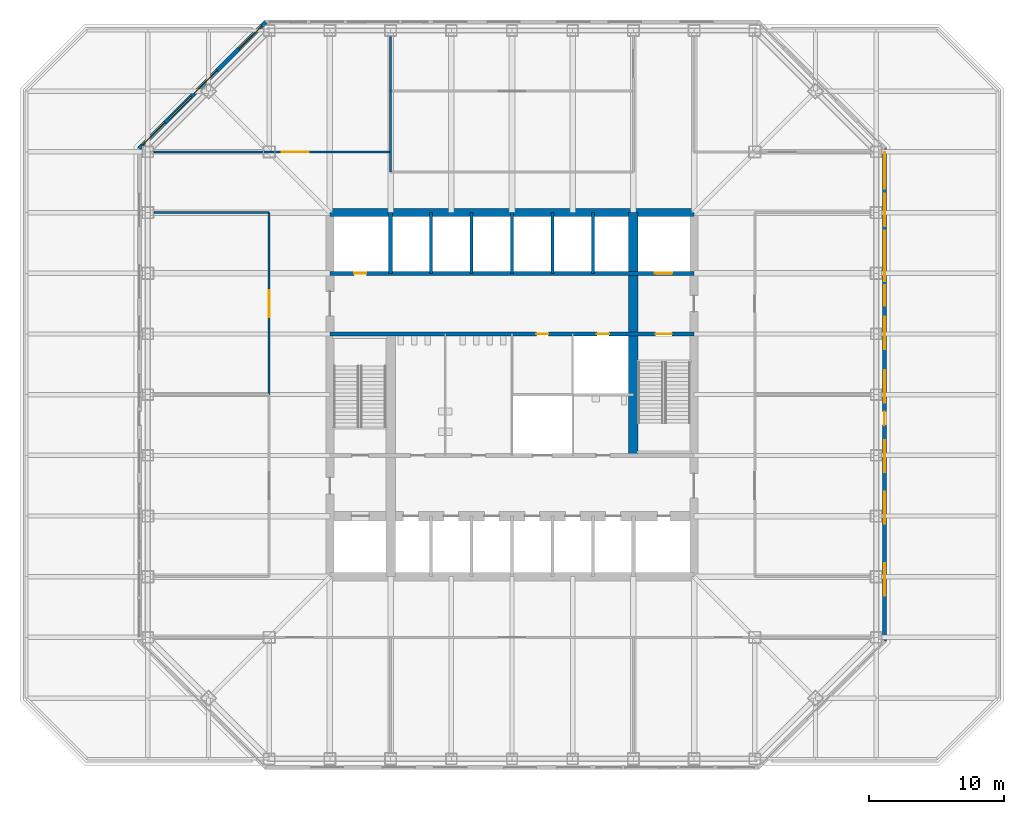
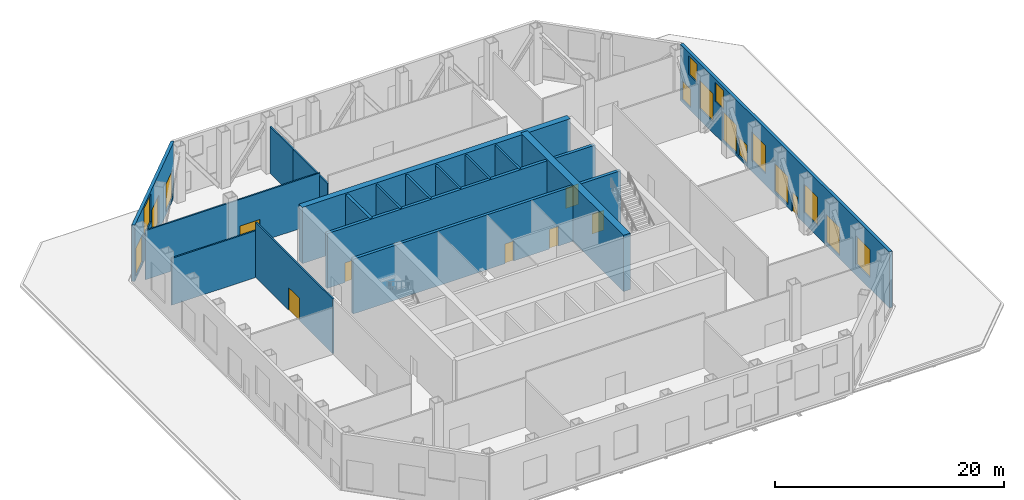
# One storey, part 6 of 10: 17 walls, 15 windows, 8 doors, 23 openings.
"""IFC4 building model written with IfcOpenShell, lengths in metres."""

from ifc_helpers import new_model, si_unit, direction, frame, frame_2d, origin, place, context, subcontext, project, spatial, rectangle, extrude, material, layer, layer_set, type_object, element, fill, save


model = new_model("IFC4")

# Units and contexts
model_context = context("Model", 3, precision=1e-05, world=origin(), true_north=direction((0.0, 1.0)))
body_context = subcontext(model_context, "Body", "Model", "MODEL_VIEW")
ifc_project = project(units=[si_unit("LENGTHUNIT", "METRE"), si_unit("AREAUNIT", "SQUARE_METRE"), si_unit("VOLUMEUNIT", "CUBIC_METRE"), si_unit("PLANEANGLEUNIT", "RADIAN"), si_unit("MASSUNIT", "GRAM", prefix="KILO")], contexts=[model_context])

# Site, building, storey
site_placement = place(None, origin())
site = spatial("IfcSite", under=ifc_project, at=site_placement, CompositionType="ELEMENT")
building_placement = place(site_placement, origin())
building = spatial("IfcBuilding", under=site, at=building_placement, Name="Corais Broadcast Tower", CompositionType="ELEMENT")
storey_placement = place(building_placement, frame((0.0, 0.0, 23.0)))
storey = spatial("IfcBuildingStorey", under=building, at=storey_placement, Name="L04", CompositionType="ELEMENT", Elevation=23.0)

# Wall
ifc_material_1 = material(Name="Concrete blockwork class A, grouted, two-hour", Category="masonry")
ifc_layer_1 = layer(ifc_material_1, 0.300048828125)
ifc_layer_set_1 = layer_set([ifc_layer_1], Name="Concrete blockwork class A, grouted, two-hour")
wall_type_1 = type_object("IfcWallType", Name="Core lobby wall 300", PredefinedType="SOLIDWALL", material=ifc_layer_set_1)
wall_1_placement = place(storey_placement, frame((18.0, 36.0, 0.0), z_axis=(0.0, 0.0, 1.0), x_axis=(0.0, 1.0, 0.0)))
element("IfcWall", 1, at=wall_1_placement, inside=storey, type_object=wall_type_1, Name="CL1 core shaft wall X18B L04", PredefinedType="SOLIDWALL", context=body_context, shape_type="SweptSolid", body=[
    extrude(rectangle(XDim=4.5, YDim=0.300048828125, at=frame_2d((2.25, 0.0))), origin(), (0.0, 0.0, 1.0), 5.840087890625),
])

# Wall, openings, doors
wall_2_placement = place(storey_placement, frame((13.5, 31.5, 0.0), z_axis=(0.0, 0.0, 1.0), x_axis=(1.0, 0.0, 0.0)))
wall_2 = element("IfcWall", 2, at=wall_2_placement, inside=storey, type_object=wall_type_1, Name="CL1 core lobby wall Y315 L04", PredefinedType="SOLIDWALL", context=body_context, shape_type="SweptSolid", body=[
    extrude(rectangle(XDim=27.0, YDim=0.300048828125, at=frame_2d((13.5, 0.0))), origin(), (0.0, 0.0, 1.0), 5.840087890625),
])
opening_1_placement = place(wall_2_placement, frame((24.14990234375, 0.0, 0.0)))
opening_1 = element("IfcOpeningElement", 3, at=opening_1_placement, cuts=wall_2, Name="Opening FD1", PredefinedType="OPENING", context=body_context, shape_type="SweptSolid", body=[
    extrude(rectangle(XDim=1.199951171875, YDim=2.10009765625, at=frame_2d((0.60009765625, 1.050048828125))), frame((0.0, 0.159912109375, 0.0), z_axis=(0.0, -1.0, 0.0), x_axis=(1.0, 0.0, 0.0)), (0.0, 0.0, 1.0), 0.320068359375),
])
opening_2_placement = place(wall_2_placement, frame((15.300048828125, 0.0, 0.0)))
opening_2 = element("IfcOpeningElement", 4, at=opening_2_placement, cuts=wall_2, Name="Opening RD1", PredefinedType="OPENING", context=body_context, shape_type="SweptSolid", body=[
    extrude(rectangle(XDim=0.89990234375, YDim=2.10009765625, at=frame_2d((0.449951171875, 1.050048828125))), frame((0.0, 0.159912109375, 0.0), z_axis=(0.0, -1.0, 0.0), x_axis=(1.0, 0.0, 0.0)), (0.0, 0.0, 1.0), 0.320068359375),
])
opening_3_placement = place(wall_2_placement, frame((19.800048828125, 0.0, 0.0)))
opening_3 = element("IfcOpeningElement", 5, at=opening_3_placement, cuts=wall_2, Name="Opening RD1", PredefinedType="OPENING", context=body_context, shape_type="SweptSolid", body=[
    extrude(rectangle(XDim=0.89990234375, YDim=2.10009765625, at=frame_2d((0.449951171875, 1.050048828125))), frame((0.0, 0.159912109375, 0.0), z_axis=(0.0, -1.0, 0.0), x_axis=(1.0, 0.0, 0.0)), (0.0, 0.0, 1.0), 0.320068359375),
])
ifc_material_2 = material(Name="Steel fire door", Category="steel")
door_type_1 = type_object("IfcDoorType", Name="Fire door 1200x2100", OperationType="SINGLE_SWING_LEFT", PredefinedType="DOOR", material=ifc_material_2)
door_1_placement = place(opening_1_placement, origin())
door_1 = element("IfcDoor", 6, at=door_1_placement, inside=storey, type_object=door_type_1, Name="FD1 stair B door L04", OperationType="SINGLE_SWING_RIGHT", OverallHeight=2.10009765625, OverallWidth=1.199951171875, PredefinedType="DOOR", context=body_context, shape_type="SweptSolid", body=[
    extrude(rectangle(XDim=1.199951171875, YDim=2.10009765625, at=frame_2d((0.60009765625, 1.050048828125))), frame((0.0, 0.02490234375, 0.0), z_axis=(0.0, -1.0, 0.0), x_axis=(1.0, 0.0, 0.0)), (0.0, 0.0, 1.0), 0.050048828125),
])
fill(opening_1, door_1)
ifc_material_3 = material(Name="Steel fire door", Category="steel")
door_type_2 = type_object("IfcDoorType", Name="Riser door 900x2100", OperationType="SINGLE_SWING_LEFT", PredefinedType="DOOR", material=ifc_material_3)
door_2_placement = place(opening_2_placement, origin())
door_2 = element("IfcDoor", 7, at=door_2_placement, inside=storey, type_object=door_type_2, Name="RD1 vending room door L04", OperationType="SINGLE_SWING_RIGHT", OverallHeight=2.10009765625, OverallWidth=0.89990234375, PredefinedType="DOOR", context=body_context, shape_type="SweptSolid", body=[
    extrude(rectangle(XDim=0.89990234375, YDim=2.10009765625, at=frame_2d((0.449951171875, 1.050048828125))), frame((0.0, 0.02490234375, 0.0), z_axis=(0.0, -1.0, 0.0), x_axis=(1.0, 0.0, 0.0)), (0.0, 0.0, 1.0), 0.050048828125),
])
fill(opening_2, door_2)
door_3_placement = place(opening_3_placement, origin())
door_3 = element("IfcDoor", 8, at=door_3_placement, inside=storey, type_object=door_type_2, Name="RD1 riser door L04", OperationType="SINGLE_SWING_RIGHT", OverallHeight=2.10009765625, OverallWidth=0.89990234375, PredefinedType="DOOR", context=body_context, shape_type="SweptSolid", body=[
    extrude(rectangle(XDim=0.89990234375, YDim=2.10009765625, at=frame_2d((0.449951171875, 1.050048828125))), frame((0.0, 0.02490234375, 0.0), z_axis=(0.0, -1.0, 0.0), x_axis=(1.0, 0.0, 0.0)), (0.0, 0.0, 1.0), 0.050048828125),
])
fill(opening_3, door_3)

# Walls
ifc_material_4 = material(Name="Concrete C50/60", Category="concrete")
ifc_layer_2 = layer(ifc_material_4, 0.699951171875)
ifc_layer_set_2 = layer_set([ifc_layer_2], Name="Concrete C50/60")
wall_type_2 = type_object("IfcWallType", Name="Core spine wall 700", PredefinedType="SHEAR", material=ifc_layer_set_2)
wall_3_placement = place(storey_placement, frame((36.0, 22.5, 0.0), z_axis=(0.0, 0.0, 1.0), x_axis=(0.0, 1.0, 0.0)))
element("IfcWall", 9, at=wall_3_placement, inside=storey, type_object=wall_type_2, Name="CR700 core wall X36B L04", PredefinedType="SHEAR", context=body_context, shape_type="SweptSolid", body=[
    extrude(rectangle(XDim=18.0, YDim=0.699951171875, at=frame_2d((9.0, 0.0))), origin(), (0.0, 0.0, 1.0), 6.0),
])
ifc_material_5 = material(Name="Concrete C50/60", Category="concrete")
ifc_layer_3 = layer(ifc_material_5, 0.60009765625)
ifc_layer_set_3 = layer_set([ifc_layer_3], Name="Concrete C50/60")
wall_type_3 = type_object("IfcWallType", Name="Core wall 600", PredefinedType="SHEAR", material=ifc_layer_set_3)
wall_4_placement = place(storey_placement, frame((40.5, 40.5, 0.0), z_axis=(0.0, 0.0, 1.0), x_axis=(-1.0, 0.0, 0.0)))
element("IfcWall", 10, at=wall_4_placement, inside=storey, type_object=wall_type_3, Name="CR600 core wall N L04", PredefinedType="SHEAR", context=body_context, shape_type="SweptSolid", body=[
    extrude(rectangle(XDim=27.0, YDim=0.60009765625, at=frame_2d((13.5, 0.0))), origin(), (0.0, 0.0, 1.0), 6.0),
])

# Wall, openings, doors
ifc_material_6 = material(Name="Concrete blockwork class A, grouted, four-hour", Category="masonry")
ifc_layer_4 = layer(ifc_material_6, 0.300048828125)
ifc_layer_set_4 = layer_set([ifc_layer_4], Name="Concrete blockwork class A, grouted, four-hour")
wall_type_4 = type_object("IfcWallType", Name="Emergency lift shaft wall 300", PredefinedType="SOLIDWALL", material=ifc_layer_set_4)
wall_5_placement = place(storey_placement, frame((13.5, 36.0, 0.0), z_axis=(0.0, 0.0, 1.0), x_axis=(1.0, 0.0, 0.0)))
wall_5 = element("IfcWall", 11, at=wall_5_placement, inside=storey, type_object=wall_type_4, Name="LS1 core lobby wall Y36 L04", PredefinedType="SOLIDWALL", context=body_context, shape_type="SweptSolid", body=[
    extrude(rectangle(XDim=27.0, YDim=0.300048828125, at=frame_2d((13.5, 0.0))), origin(), (0.0, 0.0, 1.0), 5.840087890625),
])
opening_4_placement = place(wall_5_placement, frame((1.800048828125, 0.0, 0.0)))
opening_4 = element("IfcOpeningElement", 12, at=opening_4_placement, cuts=wall_5, Name="Opening RD1", PredefinedType="OPENING", context=body_context, shape_type="SweptSolid", body=[
    extrude(rectangle(XDim=0.89990234375, YDim=2.10009765625, at=frame_2d((0.449951171875, 1.050048828125))), frame((0.0, 0.159912109375, 0.0), z_axis=(0.0, -1.0, 0.0), x_axis=(1.0, 0.0, 0.0)), (0.0, 0.0, 1.0), 0.320068359375),
])
opening_5_placement = place(wall_5_placement, frame((24.10009765625, 0.0, 0.0)))
opening_5 = element("IfcOpeningElement", 13, at=opening_5_placement, cuts=wall_5, Name="Opening LD2", PredefinedType="OPENING", context=body_context, shape_type="SweptSolid", body=[
    extrude(rectangle(XDim=1.300048828125, YDim=2.199951171875, at=frame_2d((0.64990234375, 1.10009765625))), frame((0.0, 0.159912109375, 0.0), z_axis=(0.0, -1.0, 0.0), x_axis=(1.0, 0.0, 0.0)), (0.0, 0.0, 1.0), 0.320068359375),
])
ifc_material_7 = material(Name="Stainless steel lift door", Category="steel")
door_type_3 = type_object("IfcDoorType", Name="Lift landing door 1300x2200", OperationType="SLIDING_TO_LEFT", PredefinedType="DOOR", material=ifc_material_7)
door_4_placement = place(opening_5_placement, origin())
door_4 = element("IfcDoor", 14, at=door_4_placement, inside=storey, type_object=door_type_3, Name="LD2 FL2 landing door L04", OperationType="SLIDING_TO_LEFT", OverallHeight=2.199951171875, OverallWidth=1.300048828125, PredefinedType="DOOR", context=body_context, shape_type="SweptSolid", body=[
    extrude(rectangle(XDim=1.300048828125, YDim=2.199951171875, at=frame_2d((0.64990234375, 1.10009765625))), frame((0.0, 0.02490234375, 0.0), z_axis=(0.0, -1.0, 0.0), x_axis=(1.0, 0.0, 0.0)), (0.0, 0.0, 1.0), 0.050048828125),
])
fill(opening_5, door_4)
door_5_placement = place(opening_4_placement, origin())
door_5 = element("IfcDoor", 15, at=door_5_placement, inside=storey, type_object=door_type_2, Name="RD1 riser door L04", OperationType="SINGLE_SWING_LEFT", OverallHeight=2.10009765625, OverallWidth=0.89990234375, PredefinedType="DOOR", context=body_context, shape_type="SweptSolid", body=[
    extrude(rectangle(XDim=0.89990234375, YDim=2.10009765625, at=frame_2d((0.449951171875, 1.050048828125))), frame((0.0, 0.02490234375, 0.0), z_axis=(0.0, -1.0, 0.0), x_axis=(1.0, 0.0, 0.0)), (0.0, 0.0, 1.0), 0.050048828125),
])
fill(opening_4, door_5)

# Wall
ifc_material_8 = material(Name="Two layers of fire-rated gypsum board each side on steel studs", Category="steel")
ifc_layer_5 = layer(ifc_material_8, 0.14990234375)
ifc_layer_set_5 = layer_set([ifc_layer_5], Name="Two layers of fire-rated gypsum board each side on steel studs")
wall_type_5 = type_object("IfcWallType", Name="Fire-rated partition 150 EI 60", PredefinedType="PARTITIONING", material=ifc_layer_set_5)
wall_6_placement = place(storey_placement, frame((18.0, 49.5, 0.0), z_axis=(0.0, 0.0, 1.0), x_axis=(0.0, -1.0, 0.0)))
element("IfcWall", 16, at=wall_6_placement, inside=storey, type_object=wall_type_5, Name="IW7 partition L04", PredefinedType="PARTITIONING", context=body_context, shape_type="SweptSolid", body=[
    extrude(rectangle(XDim=6.0, YDim=0.14990234375, at=frame_2d((3.0, 0.0))), origin(), (0.0, 0.0, 1.0), 4.989013671875),
])

# Wall, opening, door
wall_7_placement = place(storey_placement, frame((9.0, 27.0, 0.0), z_axis=(0.0, 0.0, 1.0), x_axis=(0.0, 1.0, 0.0)))
wall_7 = element("IfcWall", 17, at=wall_7_placement, inside=storey, type_object=wall_type_5, Name="IW7 partition L04", PredefinedType="PARTITIONING", context=body_context, shape_type="SweptSolid", body=[
    extrude(rectangle(XDim=13.5, YDim=0.14990234375, at=frame_2d((6.75, 0.0))), origin(), (0.0, 0.0, 1.0), 5.840087890625),
])
opening_6_placement = place(wall_7_placement, frame((5.75, 0.0, 0.0)))
opening_6 = element("IfcOpeningElement", 18, at=opening_6_placement, cuts=wall_7, Name="Opening D4", PredefinedType="OPENING", context=body_context, shape_type="SweptSolid", body=[
    extrude(rectangle(XDim=2.0, YDim=2.39990234375, at=frame_2d((1.0, 1.199951171875))), frame((0.0, 0.0849609375, 0.0), z_axis=(0.0, -1.0, 0.0), x_axis=(1.0, 0.0, 0.0)), (0.0, 0.0, 1.0), 0.169921875),
])
ifc_material_9 = material(Name="Steel door", Category="steel")
door_type_4 = type_object("IfcDoorType", Name="Plant room door pair 2000x2400", OperationType="DOUBLE_DOOR_SINGLE_SWING", PredefinedType="DOOR", material=ifc_material_9)
door_6_placement = place(opening_6_placement, origin())
door_6 = element("IfcDoor", 19, at=door_6_placement, inside=storey, type_object=door_type_4, Name="D4 Sprinkler pump plant room door", OperationType="SINGLE_SWING_LEFT", OverallHeight=2.39990234375, OverallWidth=2.0, PredefinedType="DOOR", context=body_context, shape_type="SweptSolid", body=[
    extrude(rectangle(XDim=2.0, YDim=2.39990234375, at=frame_2d((1.0, 1.199951171875))), frame((0.0, 0.02490234375, 0.0), z_axis=(0.0, -1.0, 0.0), x_axis=(1.0, 0.0, 0.0)), (0.0, 0.0, 1.0), 0.050048828125),
])
fill(opening_6, door_6)

# Wall
wall_8_placement = place(storey_placement, frame((9.0, 40.5, 0.0), z_axis=(0.0, 0.0, 1.0), x_axis=(-1.0, 0.0, 0.0)))
element("IfcWall", 20, at=wall_8_placement, inside=storey, type_object=wall_type_5, Name="IW7 partition L04", PredefinedType="PARTITIONING", context=body_context, shape_type="SweptSolid", body=[
    extrude(rectangle(XDim=8.5400390625, YDim=0.14990234375, at=frame_2d((4.27001953125, 0.0))), origin(), (0.0, 0.0, 1.0), 4.989013671875),
])

# Wall, opening, door
wall_9_placement = place(storey_placement, frame((0.43505859375, 45.0, 0.0), z_axis=(0.0, 0.0, 1.0), x_axis=(1.0, 0.0, 0.0)))
wall_9 = element("IfcWall", 21, at=wall_9_placement, inside=storey, type_object=wall_type_5, Name="IW7 partition L04", PredefinedType="PARTITIONING", context=body_context, shape_type="SweptSolid", body=[
    extrude(rectangle(XDim=17.56494140625, YDim=0.14990234375, at=frame_2d((8.782470703125, 0.0))), origin(), (0.0, 0.0, 1.0), 5.22900390625),
])
opening_7_placement = place(wall_9_placement, frame((9.5, 0.0, 0.0)))
opening_7 = element("IfcOpeningElement", 22, at=opening_7_placement, cuts=wall_9, Name="Opening D4", PredefinedType="OPENING", context=body_context, shape_type="SweptSolid", body=[
    extrude(rectangle(XDim=2.0, YDim=2.39990234375, at=frame_2d((1.0, 1.199951171875))), frame((0.0, 0.0849609375, 0.0), z_axis=(0.0, -1.0, 0.0), x_axis=(1.0, 0.0, 0.0)), (0.0, 0.0, 1.0), 0.169921875),
])
door_7_placement = place(opening_7_placement, origin())
door_7 = element("IfcDoor", 23, at=door_7_placement, inside=storey, type_object=door_type_4, Name="D4 Domestic water plant room door", OperationType="SINGLE_SWING_LEFT", OverallHeight=2.39990234375, OverallWidth=2.0, PredefinedType="DOOR", context=body_context, shape_type="SweptSolid", body=[
    extrude(rectangle(XDim=2.0, YDim=2.39990234375, at=frame_2d((1.0, 1.199951171875))), frame((0.0, 0.02490234375, 0.0), z_axis=(0.0, -1.0, 0.0), x_axis=(1.0, 0.0, 0.0)), (0.0, 0.0, 1.0), 0.050048828125),
])
fill(opening_7, door_7)

# Walls
wall_10_placement = place(storey_placement, frame((18.0, 49.5, 0.0), z_axis=(0.0, 0.0, 1.0), x_axis=(0.0, 1.0, 0.0)))
element("IfcWall", 24, at=wall_10_placement, inside=storey, type_object=wall_type_5, Name="IW7 partition L04", PredefinedType="PARTITIONING", context=body_context, shape_type="SweptSolid", body=[
    extrude(rectangle(XDim=4.0400390625, YDim=0.14990234375, at=frame_2d((2.02001953125, 0.0))), origin(), (0.0, 0.0, 1.0), 4.989013671875),
])
ifc_material_10 = material(Name="Concrete blockwork class A, grouted, two-hour", Category="masonry")
ifc_layer_6 = layer(ifc_material_10, 0.199951171875)
ifc_layer_set_6 = layer_set([ifc_layer_6], Name="Concrete blockwork class A, grouted, two-hour")
wall_type_6 = type_object("IfcWallType", Name="Shaft wall 200", PredefinedType="PARTITIONING", material=ifc_layer_set_6)
for number, where, z_axis, x_axis, name in (
    (25, (21.0, 36.0, 0.0), (0.0, 0.0, 1.0), (0.0, 1.0, 0.0), "IW1 shaft wall L04"),
    (26, (24.0, 36.0, 0.0), (0.0, 0.0, 1.0), (0.0, 1.0, 0.0), "IW1 shaft wall L04"),
    (27, (27.0, 36.0, 0.0), (0.0, 0.0, 1.0), (0.0, 1.0, 0.0), "IW1 shaft wall L04"),
    (28, (30.0, 36.0, 0.0), (0.0, 0.0, 1.0), (0.0, 1.0, 0.0), "IW1 shaft wall L04"),
    (29, (33.0, 36.0, 0.0), (0.0, 0.0, 1.0), (0.0, 1.0, 0.0), "IW1 shaft wall L04"),
):
    element("IfcWall", number, at=place(storey_placement, frame(where, z_axis=z_axis, x_axis=x_axis)), inside=storey, type_object=wall_type_6, Name=name, PredefinedType="PARTITIONING", context=body_context, shape_type="SweptSolid", body=[
        extrude(rectangle(XDim=4.5, YDim=0.199951171875, at=frame_2d((2.25, 0.0))), origin(), (0.0, 0.0, 1.0), 5.840087890625),
    ])

# Wall, openings, windows
ifc_material_11 = material(Name="Precast concrete C40/50", Category="concrete")
ifc_layer_7 = layer(ifc_material_11, 0.300048828125)
ifc_layer_set_7 = layer_set([ifc_layer_7], Name="Precast concrete C40/50")
wall_type_7 = type_object("IfcWallType", Name="Stone-faced precast wall 300", PredefinedType="SOLIDWALL", material=ifc_layer_set_7)
wall_11_placement = place(storey_placement, frame((-0.6298828125, 45.260986328125, 0.0), z_axis=(0.0, 0.0, 1.0), x_axis=(0.707106781187, 0.707106781187, 0.0)))
wall_11 = element("IfcWall", 30, at=wall_11_placement, inside=storey, type_object=wall_type_7, Name="EW1 external wall L04 3", PredefinedType="SOLIDWALL", context=body_context, shape_type="SweptSolid", body=[
    extrude(rectangle(XDim=13.24951171875, YDim=0.300048828125, at=frame_2d((6.624755859375, 0.0))), origin(), (0.0, 0.0, 1.0), 6.0),
])
opening_8_placement = place(wall_11_placement, frame((0.300048828125, 0.0, 0.300048828125)))
opening_8 = element("IfcOpeningElement", 31, at=opening_8_placement, cuts=wall_11, Name="Opening LV1", PredefinedType="OPENING", context=body_context, shape_type="SweptSolid", body=[
    extrude(rectangle(XDim=2.39990234375, YDim=3.0, at=frame_2d((1.199951171875, 1.5))), frame((0.0, 0.159912109375, 0.0), z_axis=(0.0, -1.0, 0.0), x_axis=(1.0, 0.0, 0.0)), (0.0, 0.0, 1.0), 0.320068359375),
])
opening_9_placement = place(wall_11_placement, frame((3.050048828125, 0.0, 2.699951171875)))
opening_9 = element("IfcOpeningElement", 32, at=opening_9_placement, cuts=wall_11, Name="Opening LV1", PredefinedType="OPENING", context=body_context, shape_type="SweptSolid", body=[
    extrude(rectangle(XDim=2.39990234375, YDim=3.0, at=frame_2d((1.199951171875, 1.5))), frame((0.0, 0.159912109375, 0.0), z_axis=(0.0, -1.0, 0.0), x_axis=(1.0, 0.0, 0.0)), (0.0, 0.0, 1.0), 0.320068359375),
])
opening_10_placement = place(wall_11_placement, frame((5.75, 0.0, 0.75)))
opening_10 = element("IfcOpeningElement", 33, at=opening_10_placement, cuts=wall_11, Name="Opening LV1", PredefinedType="OPENING", context=body_context, shape_type="SweptSolid", body=[
    extrude(rectangle(XDim=2.39990234375, YDim=3.0, at=frame_2d((1.199951171875, 1.5))), frame((0.0, 0.159912109375, 0.0), z_axis=(0.0, -1.0, 0.0), x_axis=(1.0, 0.0, 0.0)), (0.0, 0.0, 1.0), 0.320068359375),
])
opening_11_placement = place(wall_11_placement, frame((10.449951171875, 0.0, 0.300048828125)))
opening_11 = element("IfcOpeningElement", 34, at=opening_11_placement, cuts=wall_11, Name="Opening LV1", PredefinedType="OPENING", context=body_context, shape_type="SweptSolid", body=[
    extrude(rectangle(XDim=2.39990234375, YDim=3.0, at=frame_2d((1.199951171875, 1.5))), frame((0.0, 0.159912109375, 0.0), z_axis=(0.0, -1.0, 0.0), x_axis=(1.0, 0.0, 0.0)), (0.0, 0.0, 1.0), 0.320068359375),
])
ifc_material_12 = material(Name="Aluminium frame", Category="aluminium")
window_type_1 = type_object("IfcWindowType", Name="Plant louvre 2400x3000", PartitioningType="SINGLE_PANEL", PredefinedType="USERDEFINED", material=ifc_material_12)
window_1_placement = place(opening_8_placement, origin())
window_1 = element("IfcWindow", 35, at=window_1_placement, inside=storey, type_object=window_type_1, Name="LV1 window L04", ObjectType="LOUVRE", OverallHeight=3.0, OverallWidth=2.39990234375, PartitioningType="SINGLE_PANEL", PredefinedType="USERDEFINED", context=body_context, shape_type="SweptSolid", body=[
    extrude(rectangle(XDim=2.39990234375, YDim=3.0, at=frame_2d((1.199951171875, 1.5))), frame((0.0, 0.030029296875, 0.0), z_axis=(0.0, -1.0, 0.0), x_axis=(1.0, 0.0, 0.0)), (0.0, 0.0, 1.0), 0.06005859375),
])
fill(opening_8, window_1)
window_2_placement = place(opening_9_placement, origin())
window_2 = element("IfcWindow", 36, at=window_2_placement, inside=storey, type_object=window_type_1, Name="LV1 window L04", ObjectType="LOUVRE", OverallHeight=3.0, OverallWidth=2.39990234375, PartitioningType="SINGLE_PANEL", PredefinedType="USERDEFINED", context=body_context, shape_type="SweptSolid", body=[
    extrude(rectangle(XDim=2.39990234375, YDim=3.0, at=frame_2d((1.199951171875, 1.5))), frame((0.0, 0.030029296875, 0.0), z_axis=(0.0, -1.0, 0.0), x_axis=(1.0, 0.0, 0.0)), (0.0, 0.0, 1.0), 0.06005859375),
])
fill(opening_9, window_2)
window_3_placement = place(opening_10_placement, origin())
window_3 = element("IfcWindow", 37, at=window_3_placement, inside=storey, type_object=window_type_1, Name="LV1 window L04", ObjectType="LOUVRE", OverallHeight=3.0, OverallWidth=2.39990234375, PartitioningType="SINGLE_PANEL", PredefinedType="USERDEFINED", context=body_context, shape_type="SweptSolid", body=[
    extrude(rectangle(XDim=2.39990234375, YDim=3.0, at=frame_2d((1.199951171875, 1.5))), frame((0.0, 0.030029296875, 0.0), z_axis=(0.0, -1.0, 0.0), x_axis=(1.0, 0.0, 0.0)), (0.0, 0.0, 1.0), 0.06005859375),
])
fill(opening_10, window_3)
window_4_placement = place(opening_11_placement, origin())
window_4 = element("IfcWindow", 38, at=window_4_placement, inside=storey, type_object=window_type_1, Name="LV1 window L04", ObjectType="LOUVRE", OverallHeight=3.0, OverallWidth=2.39990234375, PartitioningType="SINGLE_PANEL", PredefinedType="USERDEFINED", context=body_context, shape_type="SweptSolid", body=[
    extrude(rectangle(XDim=2.39990234375, YDim=3.0, at=frame_2d((1.199951171875, 1.5))), frame((0.0, 0.030029296875, 0.0), z_axis=(0.0, -1.0, 0.0), x_axis=(1.0, 0.0, 0.0)), (0.0, 0.0, 1.0), 0.06005859375),
])
fill(opening_11, window_4)

# Wall, openings, door, windows
wall_12_placement = place(storey_placement, frame((54.6298828125, 45.260986328125, 0.0), z_axis=(0.0, 0.0, 1.0), x_axis=(0.0, -1.0, 0.0)))
wall_12 = element("IfcWall", 39, at=wall_12_placement, inside=storey, type_object=wall_type_7, Name="EW1 external wall L04 6", PredefinedType="SOLIDWALL", context=body_context, shape_type="SweptSolid", body=[
    extrude(rectangle(XDim=36.52197265625, YDim=0.300048828125, at=frame_2d((18.260986328125, 0.0))), origin(), (0.0, 0.0, 1.0), 6.0),
])
opening_12_placement = place(wall_12_placement, frame((19.510986328125, 0.0, 0.0)))
opening_12 = element("IfcOpeningElement", 40, at=opening_12_placement, cuts=wall_12, Name="Opening XD1", PredefinedType="OPENING", context=body_context, shape_type="SweptSolid", body=[
    extrude(rectangle(XDim=1.0, YDim=2.10009765625, at=frame_2d((0.5, 1.050048828125))), frame((0.0, 0.159912109375, 0.0), z_axis=(0.0, -1.0, 0.0), x_axis=(1.0, 0.0, 0.0)), (0.0, 0.0, 1.0), 0.320068359375),
])
opening_13_placement = place(wall_12_placement, frame((0.300048828125, 0.0, 0.300048828125)))
opening_13 = element("IfcOpeningElement", 41, at=opening_13_placement, cuts=wall_12, Name="Opening LV3", PredefinedType="OPENING", context=body_context, shape_type="SweptSolid", body=[
    extrude(rectangle(XDim=1.5, YDim=2.0, at=frame_2d((0.75, 1.0))), frame((0.0, 0.159912109375, 0.0), z_axis=(0.0, -1.0, 0.0), x_axis=(1.0, 0.0, 0.0)), (0.0, 0.0, 1.0), 0.320068359375),
])
opening_14_placement = place(wall_12_placement, frame((3.365234375, 0.0, 1.199951171875)))
opening_14 = element("IfcOpeningElement", 42, at=opening_14_placement, cuts=wall_12, Name="Opening LV1", PredefinedType="OPENING", context=body_context, shape_type="SweptSolid", body=[
    extrude(rectangle(XDim=2.39990234375, YDim=3.0, at=frame_2d((1.199951171875, 1.5))), frame((0.0, 0.159912109375, 0.0), z_axis=(0.0, -1.0, 0.0), x_axis=(1.0, 0.0, 0.0)), (0.0, 0.0, 1.0), 0.320068359375),
])
opening_15_placement = place(wall_12_placement, frame((1.5, 0.0, 3.64990234375)))
opening_15 = element("IfcOpeningElement", 43, at=opening_15_placement, cuts=wall_12, Name="Opening LV3", PredefinedType="OPENING", context=body_context, shape_type="SweptSolid", body=[
    extrude(rectangle(XDim=1.5, YDim=2.0, at=frame_2d((0.75, 1.0))), frame((0.0, 0.159912109375, 0.0), z_axis=(0.0, -1.0, 0.0), x_axis=(1.0, 0.0, 0.0)), (0.0, 0.0, 1.0), 0.320068359375),
])
opening_16_placement = place(wall_12_placement, frame((6.10009765625, 0.0, 3.60009765625)))
opening_16 = element("IfcOpeningElement", 44, at=opening_16_placement, cuts=wall_12, Name="Opening LV3", PredefinedType="OPENING", context=body_context, shape_type="SweptSolid", body=[
    extrude(rectangle(XDim=1.5, YDim=2.0, at=frame_2d((0.75, 1.0))), frame((0.0, 0.159912109375, 0.0), z_axis=(0.0, -1.0, 0.0), x_axis=(1.0, 0.0, 0.0)), (0.0, 0.0, 1.0), 0.320068359375),
])
opening_17_placement = place(wall_12_placement, frame((12.495849609375, 0.0, 1.199951171875)))
opening_17 = element("IfcOpeningElement", 45, at=opening_17_placement, cuts=wall_12, Name="Opening LV1", PredefinedType="OPENING", context=body_context, shape_type="SweptSolid", body=[
    extrude(rectangle(XDim=2.39990234375, YDim=3.0, at=frame_2d((1.199951171875, 1.5))), frame((0.0, 0.159912109375, 0.0), z_axis=(0.0, -1.0, 0.0), x_axis=(1.0, 0.0, 0.0)), (0.0, 0.0, 1.0), 0.320068359375),
])
opening_18_placement = place(wall_12_placement, frame((7.449951171875, 0.0, 0.300048828125)))
opening_18 = element("IfcOpeningElement", 46, at=opening_18_placement, cuts=wall_12, Name="Opening LV1", PredefinedType="OPENING", context=body_context, shape_type="SweptSolid", body=[
    extrude(rectangle(XDim=2.39990234375, YDim=3.0, at=frame_2d((1.199951171875, 1.5))), frame((0.0, 0.159912109375, 0.0), z_axis=(0.0, -1.0, 0.0), x_axis=(1.0, 0.0, 0.0)), (0.0, 0.0, 1.0), 0.320068359375),
])
opening_19_placement = place(wall_12_placement, frame((21.626220703125, 0.0, 1.199951171875)))
opening_19 = element("IfcOpeningElement", 47, at=opening_19_placement, cuts=wall_12, Name="Opening LV1", PredefinedType="OPENING", context=body_context, shape_type="SweptSolid", body=[
    extrude(rectangle(XDim=2.39990234375, YDim=3.0, at=frame_2d((1.199951171875, 1.5))), frame((0.0, 0.159912109375, 0.0), z_axis=(0.0, -1.0, 0.0), x_axis=(1.0, 0.0, 0.0)), (0.0, 0.0, 1.0), 0.320068359375),
])
opening_20_placement = place(wall_12_placement, frame((10.14990234375, 0.0, 0.300048828125)))
opening_20 = element("IfcOpeningElement", 48, at=opening_20_placement, cuts=wall_12, Name="Opening LV3", PredefinedType="OPENING", context=body_context, shape_type="SweptSolid", body=[
    extrude(rectangle(XDim=1.5, YDim=2.0, at=frame_2d((0.75, 1.0))), frame((0.0, 0.159912109375, 0.0), z_axis=(0.0, -1.0, 0.0), x_axis=(1.0, 0.0, 0.0)), (0.0, 0.0, 1.0), 0.320068359375),
])
opening_21_placement = place(wall_12_placement, frame((16.449951171875, 0.0, 0.300048828125)))
opening_21 = element("IfcOpeningElement", 49, at=opening_21_placement, cuts=wall_12, Name="Opening LV1", PredefinedType="OPENING", context=body_context, shape_type="SweptSolid", body=[
    extrude(rectangle(XDim=2.39990234375, YDim=3.0, at=frame_2d((1.199951171875, 1.5))), frame((0.0, 0.159912109375, 0.0), z_axis=(0.0, -1.0, 0.0), x_axis=(1.0, 0.0, 0.0)), (0.0, 0.0, 1.0), 0.320068359375),
])
opening_22_placement = place(wall_12_placement, frame((30.7568359375, 0.0, 1.199951171875)))
opening_22 = element("IfcOpeningElement", 50, at=opening_22_placement, cuts=wall_12, Name="Opening LV1", PredefinedType="OPENING", context=body_context, shape_type="SweptSolid", body=[
    extrude(rectangle(XDim=2.39990234375, YDim=3.0, at=frame_2d((1.199951171875, 1.5))), frame((0.0, 0.159912109375, 0.0), z_axis=(0.0, -1.0, 0.0), x_axis=(1.0, 0.0, 0.0)), (0.0, 0.0, 1.0), 0.320068359375),
])
opening_23_placement = place(wall_12_placement, frame((25.449951171875, 0.0, 0.300048828125)))
opening_23 = element("IfcOpeningElement", 51, at=opening_23_placement, cuts=wall_12, Name="Opening LV1", PredefinedType="OPENING", context=body_context, shape_type="SweptSolid", body=[
    extrude(rectangle(XDim=2.39990234375, YDim=3.0, at=frame_2d((1.199951171875, 1.5))), frame((0.0, 0.159912109375, 0.0), z_axis=(0.0, -1.0, 0.0), x_axis=(1.0, 0.0, 0.0)), (0.0, 0.0, 1.0), 0.320068359375),
])
ifc_material_13 = material(Name="Steel door", Category="steel")
door_type_5 = type_object("IfcDoorType", Name="External single door 1000x2100", OperationType="SINGLE_SWING_LEFT", PredefinedType="DOOR", material=ifc_material_13)
door_8_placement = place(opening_12_placement, origin())
door_8 = element("IfcDoor", 52, at=door_8_placement, inside=storey, type_object=door_type_5, Name="XD1 roof access door L04, maintenance access only", OperationType="SINGLE_SWING_RIGHT", OverallHeight=2.10009765625, OverallWidth=1.0, PredefinedType="DOOR", context=body_context, shape_type="SweptSolid", body=[
    extrude(rectangle(XDim=1.0, YDim=2.10009765625, at=frame_2d((0.5, 1.050048828125))), frame((0.0, 0.02490234375, 0.0), z_axis=(0.0, -1.0, 0.0), x_axis=(1.0, 0.0, 0.0)), (0.0, 0.0, 1.0), 0.050048828125),
])
fill(opening_12, door_8)
ifc_material_14 = material(Name="Aluminium frame", Category="aluminium")
window_type_2 = type_object("IfcWindowType", Name="Plant louvre 1500x2000", PartitioningType="SINGLE_PANEL", PredefinedType="USERDEFINED", material=ifc_material_14)
window_5_placement = place(opening_13_placement, origin())
window_5 = element("IfcWindow", 53, at=window_5_placement, inside=storey, type_object=window_type_2, Name="LV3 window L04", ObjectType="LOUVRE", OverallHeight=2.0, OverallWidth=1.5, PartitioningType="SINGLE_PANEL", PredefinedType="USERDEFINED", context=body_context, shape_type="SweptSolid", body=[
    extrude(rectangle(XDim=1.5, YDim=2.0, at=frame_2d((0.75, 1.0))), frame((0.0, 0.030029296875, 0.0), z_axis=(0.0, -1.0, 0.0), x_axis=(1.0, 0.0, 0.0)), (0.0, 0.0, 1.0), 0.06005859375),
])
fill(opening_13, window_5)
window_6_placement = place(opening_15_placement, origin())
window_6 = element("IfcWindow", 54, at=window_6_placement, inside=storey, type_object=window_type_2, Name="LV3 window L04", ObjectType="LOUVRE", OverallHeight=2.0, OverallWidth=1.5, PartitioningType="SINGLE_PANEL", PredefinedType="USERDEFINED", context=body_context, shape_type="SweptSolid", body=[
    extrude(rectangle(XDim=1.5, YDim=2.0, at=frame_2d((0.75, 1.0))), frame((0.0, 0.030029296875, 0.0), z_axis=(0.0, -1.0, 0.0), x_axis=(1.0, 0.0, 0.0)), (0.0, 0.0, 1.0), 0.06005859375),
])
fill(opening_15, window_6)
window_7_placement = place(opening_16_placement, origin())
window_7 = element("IfcWindow", 55, at=window_7_placement, inside=storey, type_object=window_type_2, Name="LV3 window L04", ObjectType="LOUVRE", OverallHeight=2.0, OverallWidth=1.5, PartitioningType="SINGLE_PANEL", PredefinedType="USERDEFINED", context=body_context, shape_type="SweptSolid", body=[
    extrude(rectangle(XDim=1.5, YDim=2.0, at=frame_2d((0.75, 1.0))), frame((0.0, 0.030029296875, 0.0), z_axis=(0.0, -1.0, 0.0), x_axis=(1.0, 0.0, 0.0)), (0.0, 0.0, 1.0), 0.06005859375),
])
fill(opening_16, window_7)
window_8_placement = place(opening_20_placement, origin())
window_8 = element("IfcWindow", 56, at=window_8_placement, inside=storey, type_object=window_type_2, Name="LV3 window L04", ObjectType="LOUVRE", OverallHeight=2.0, OverallWidth=1.5, PartitioningType="SINGLE_PANEL", PredefinedType="USERDEFINED", context=body_context, shape_type="SweptSolid", body=[
    extrude(rectangle(XDim=1.5, YDim=2.0, at=frame_2d((0.75, 1.0))), frame((0.0, 0.030029296875, 0.0), z_axis=(0.0, -1.0, 0.0), x_axis=(1.0, 0.0, 0.0)), (0.0, 0.0, 1.0), 0.06005859375),
])
fill(opening_20, window_8)
window_9_placement = place(opening_14_placement, origin())
window_9 = element("IfcWindow", 57, at=window_9_placement, inside=storey, type_object=window_type_1, Name="LV1 window L04", ObjectType="LOUVRE", OverallHeight=3.0, OverallWidth=2.39990234375, PartitioningType="SINGLE_PANEL", PredefinedType="USERDEFINED", context=body_context, shape_type="SweptSolid", body=[
    extrude(rectangle(XDim=2.39990234375, YDim=3.0, at=frame_2d((1.199951171875, 1.5))), frame((0.0, 0.030029296875, 0.0), z_axis=(0.0, -1.0, 0.0), x_axis=(1.0, 0.0, 0.0)), (0.0, 0.0, 1.0), 0.06005859375),
])
fill(opening_14, window_9)
window_10_placement = place(opening_17_placement, origin())
window_10 = element("IfcWindow", 58, at=window_10_placement, inside=storey, type_object=window_type_1, Name="LV1 window L04", ObjectType="LOUVRE", OverallHeight=3.0, OverallWidth=2.39990234375, PartitioningType="SINGLE_PANEL", PredefinedType="USERDEFINED", context=body_context, shape_type="SweptSolid", body=[
    extrude(rectangle(XDim=2.39990234375, YDim=3.0, at=frame_2d((1.199951171875, 1.5))), frame((0.0, 0.030029296875, 0.0), z_axis=(0.0, -1.0, 0.0), x_axis=(1.0, 0.0, 0.0)), (0.0, 0.0, 1.0), 0.06005859375),
])
fill(opening_17, window_10)
window_11_placement = place(opening_18_placement, origin())
window_11 = element("IfcWindow", 59, at=window_11_placement, inside=storey, type_object=window_type_1, Name="LV1 window L04", ObjectType="LOUVRE", OverallHeight=3.0, OverallWidth=2.39990234375, PartitioningType="SINGLE_PANEL", PredefinedType="USERDEFINED", context=body_context, shape_type="SweptSolid", body=[
    extrude(rectangle(XDim=2.39990234375, YDim=3.0, at=frame_2d((1.199951171875, 1.5))), frame((0.0, 0.030029296875, 0.0), z_axis=(0.0, -1.0, 0.0), x_axis=(1.0, 0.0, 0.0)), (0.0, 0.0, 1.0), 0.06005859375),
])
fill(opening_18, window_11)
window_12_placement = place(opening_19_placement, origin())
window_12 = element("IfcWindow", 60, at=window_12_placement, inside=storey, type_object=window_type_1, Name="LV1 window L04", ObjectType="LOUVRE", OverallHeight=3.0, OverallWidth=2.39990234375, PartitioningType="SINGLE_PANEL", PredefinedType="USERDEFINED", context=body_context, shape_type="SweptSolid", body=[
    extrude(rectangle(XDim=2.39990234375, YDim=3.0, at=frame_2d((1.199951171875, 1.5))), frame((0.0, 0.030029296875, 0.0), z_axis=(0.0, -1.0, 0.0), x_axis=(1.0, 0.0, 0.0)), (0.0, 0.0, 1.0), 0.06005859375),
])
fill(opening_19, window_12)
window_13_placement = place(opening_21_placement, origin())
window_13 = element("IfcWindow", 61, at=window_13_placement, inside=storey, type_object=window_type_1, Name="LV1 window L04", ObjectType="LOUVRE", OverallHeight=3.0, OverallWidth=2.39990234375, PartitioningType="SINGLE_PANEL", PredefinedType="USERDEFINED", context=body_context, shape_type="SweptSolid", body=[
    extrude(rectangle(XDim=2.39990234375, YDim=3.0, at=frame_2d((1.199951171875, 1.5))), frame((0.0, 0.030029296875, 0.0), z_axis=(0.0, -1.0, 0.0), x_axis=(1.0, 0.0, 0.0)), (0.0, 0.0, 1.0), 0.06005859375),
])
fill(opening_21, window_13)
window_14_placement = place(opening_22_placement, origin())
window_14 = element("IfcWindow", 62, at=window_14_placement, inside=storey, type_object=window_type_1, Name="LV1 window L04", ObjectType="LOUVRE", OverallHeight=3.0, OverallWidth=2.39990234375, PartitioningType="SINGLE_PANEL", PredefinedType="USERDEFINED", context=body_context, shape_type="SweptSolid", body=[
    extrude(rectangle(XDim=2.39990234375, YDim=3.0, at=frame_2d((1.199951171875, 1.5))), frame((0.0, 0.030029296875, 0.0), z_axis=(0.0, -1.0, 0.0), x_axis=(1.0, 0.0, 0.0)), (0.0, 0.0, 1.0), 0.06005859375),
])
fill(opening_22, window_14)
window_15_placement = place(opening_23_placement, origin())
window_15 = element("IfcWindow", 63, at=window_15_placement, inside=storey, type_object=window_type_1, Name="LV1 window L04", ObjectType="LOUVRE", OverallHeight=3.0, OverallWidth=2.39990234375, PartitioningType="SINGLE_PANEL", PredefinedType="USERDEFINED", context=body_context, shape_type="SweptSolid", body=[
    extrude(rectangle(XDim=2.39990234375, YDim=3.0, at=frame_2d((1.199951171875, 1.5))), frame((0.0, 0.030029296875, 0.0), z_axis=(0.0, -1.0, 0.0), x_axis=(1.0, 0.0, 0.0)), (0.0, 0.0, 1.0), 0.06005859375),
])
fill(opening_23, window_15)

save(model, "model.ifc")
